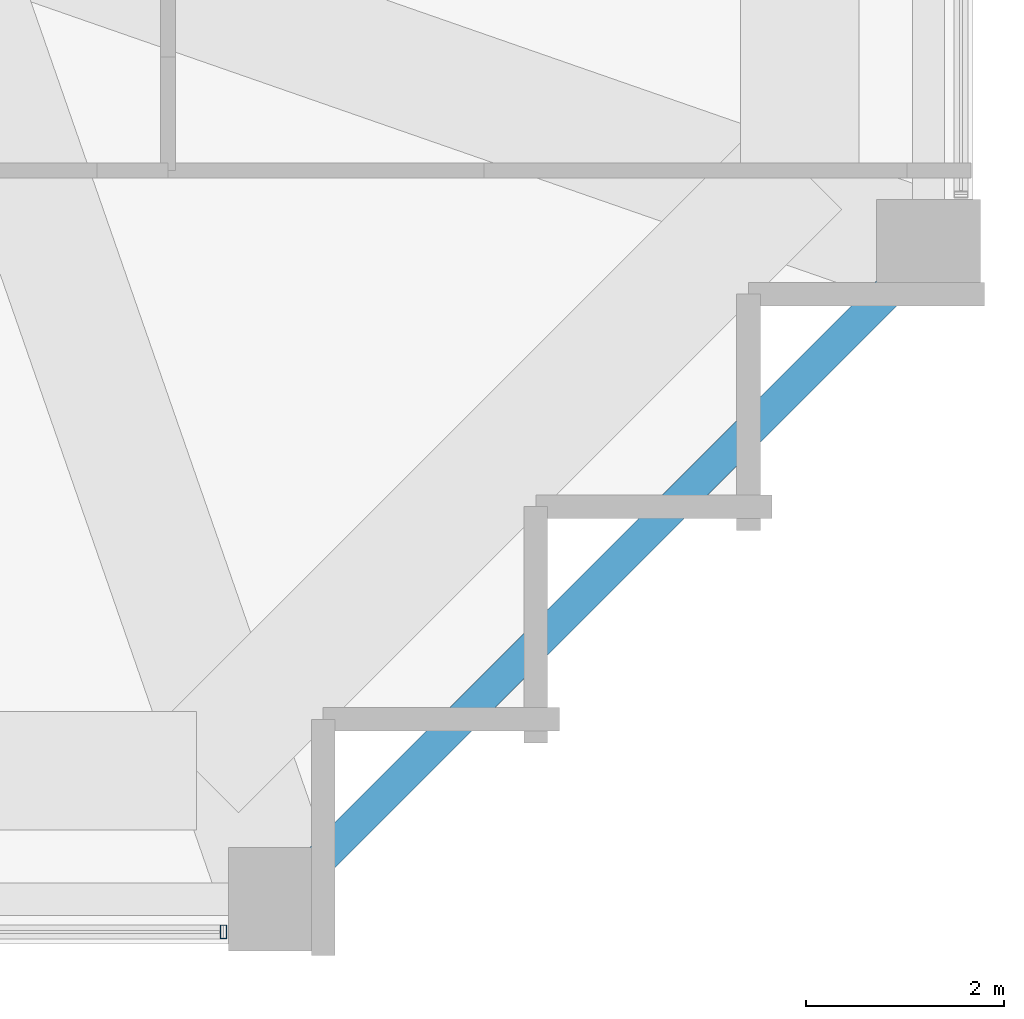
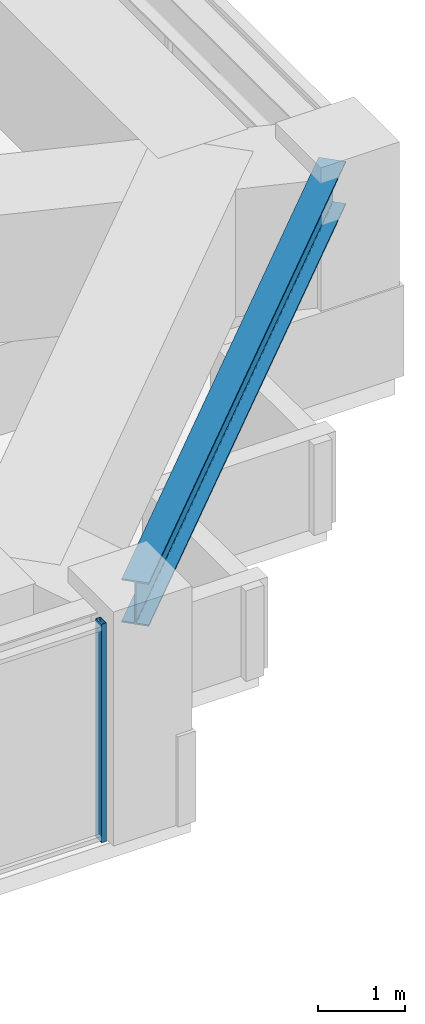
# One storey, part 12 of 34: 1 beam, 1 member, 1 element without a shape of its own.
"""IFC4 building model written with IfcOpenShell, lengths in metres."""

from ifc_helpers import new_model, si_unit, direction, frame, origin, origin_2d, place, context, subcontext, project, spatial, hollow_rectangle, i_section, extrude, material, material_profile, profile_set, type_object, element, aggregate, save


model = new_model("IFC4")

# Units and contexts
model_context = context("Model", 3, precision=1e-05, world=origin(), true_north=direction((0.0, 1.0)))
body_context = subcontext(model_context, "Body", "Model", "MODEL_VIEW")
ifc_project = project(units=[si_unit("LENGTHUNIT", "METRE"), si_unit("AREAUNIT", "SQUARE_METRE"), si_unit("VOLUMEUNIT", "CUBIC_METRE"), si_unit("PLANEANGLEUNIT", "RADIAN"), si_unit("MASSUNIT", "GRAM", prefix="KILO")], contexts=[model_context])

# Site, building, storey
site_placement = place(None, origin())
site = spatial("IfcSite", under=ifc_project, at=site_placement, CompositionType="ELEMENT")
building_placement = place(site_placement, origin())
building = spatial("IfcBuilding", under=site, at=building_placement, Name="Kolvaren Belvedere", CompositionType="ELEMENT")
storey_placement = place(building_placement, frame((0.0, 0.0, 105.199951171875)))
storey = spatial("IfcBuildingStorey", under=building, at=storey_placement, Name="L30", CompositionType="ELEMENT", Elevation=105.199951171875)

# Beam
ifc_material_1 = material(Name="Structural steel ASTM A992 Grade 50", Category="steel")
ifc_material_profile_1 = material_profile(ifc_material_1, i_section(OverallWidth=0.324951171875, OverallDepth=0.615966796875, WebThickness=0.013916015625, FlangeThickness=0.021484375, FilletRadius=0.02001953125, at=origin_2d()), Name="W24X117")
ifc_profile_set_1 = profile_set([ifc_material_profile_1], Name="Structural steel ASTM A992 Grade 50")
beam_type = type_object("IfcBeamType", Name="BM-SPAN-W24X117", PredefinedType="SPANDREL", material=ifc_profile_set_1)
beam_placement = place(storey_placement, frame((13.567138671875, -19.782958984375, 2.77197265625), z_axis=(0.707106781187, 0.707106781187, 0.0), x_axis=(-0.707106781187, 0.707106781187, 0.0)))
element("IfcBeam", 1, at=beam_placement, inside=storey, type_object=beam_type, Name="L30 Perimeter Spandrel S4-E1", PredefinedType="SPANDREL", context=body_context, shape_type="SweptSolid", body=[
    extrude(i_section(OverallWidth=0.324951171875, OverallDepth=0.615966796875, WebThickness=0.013916015625, FlangeThickness=0.021484375, FilletRadius=0.02001953125, at=origin_2d()), origin(), (0.0, 0.0, 1.0), 8.79052734375),
])

# Curtain wall, member
ifc_material_2 = material(Name="Anodised pale-metal aluminium AA 6063-T6", Category="aluminium")
curtain_wall_type = type_object("IfcCurtainWallType", Name="CW-Z2-MID", PredefinedType="NOTDEFINED", material=ifc_material_2)
curtain_wall_placement = place(storey_placement, origin())
curtain_wall = element("IfcCurtainWall", 2, at=curtain_wall_placement, inside=storey, type_object=curtain_wall_type, Name="L30 Unitised Curtain Wall FCW-L30-S-B1", PredefinedType="NOTDEFINED")
ifc_material_3 = material(Name="Anodised pale-metal aluminium AA 6063-T6", Category="aluminium")
ifc_material_profile_2 = material_profile(ifc_material_3, hollow_rectangle(XDim=0.06494140625, YDim=0.139892578125, WallThickness=0.00390625, at=origin_2d()), Name="ALU-MUL-140X65")
ifc_profile_set_2 = profile_set([ifc_material_profile_2], Name="Anodised pale-metal aluminium AA 6063-T6")
member_type = type_object("IfcMemberType", Name="CW-MUL-140", PredefinedType="MULLION", material=ifc_profile_set_2)
member_placement = place(storey_placement, frame((12.822509765625, -20.280029296875, 0.0), z_axis=(0.0, 0.0, 1.0), x_axis=(1.0, 0.0, 0.0)))
member = element("IfcMember", 3, at=member_placement, type_object=member_type, Name="FCW-L30-S-B1 Unitised Mullion 1", PredefinedType="MULLION", context=body_context, shape_type="SweptSolid", body=[
    extrude(hollow_rectangle(XDim=0.06494140625, YDim=0.139892578125, WallThickness=0.00390625, at=origin_2d()), origin(), (0.0, 0.0, 1.0), 3.080078125),
])
aggregate(curtain_wall, [member])

save(model, "model.ifc")
